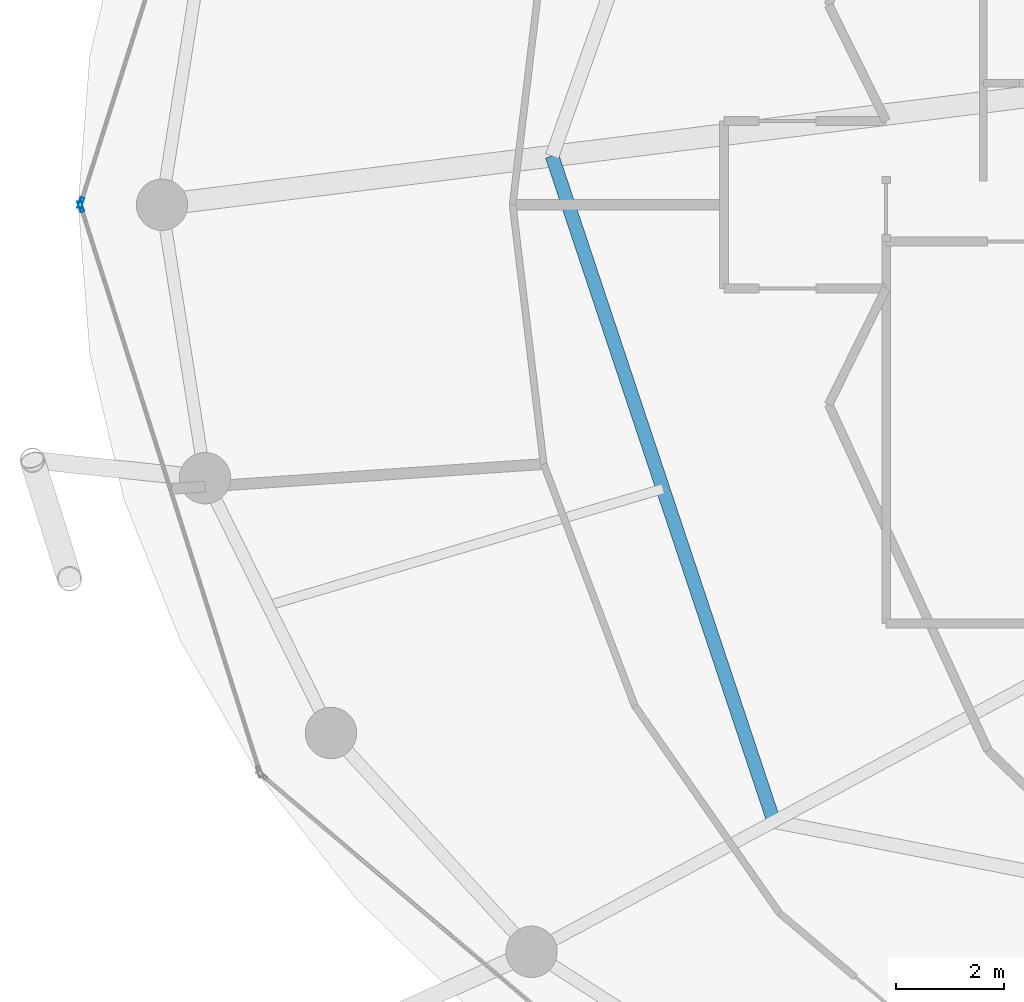
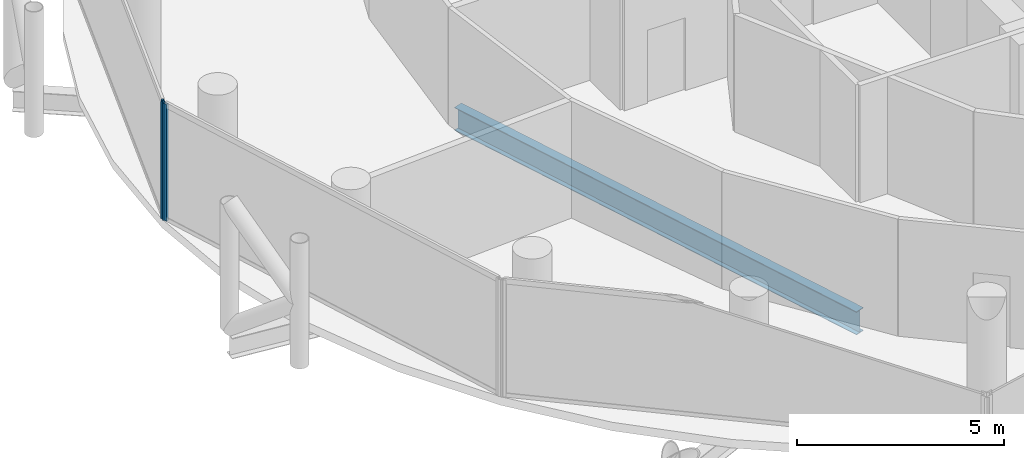
# One storey, part 6 of 26: 2 members, 1 beam, 2 elements without a shape of their own.
"""IFC4 building model written with IfcOpenShell, lengths in metres."""

from ifc_helpers import new_model, si_unit, direction, frame, origin, origin_2d, place, context, subcontext, project, spatial, hollow_rectangle, i_section, extrude, material, layer, layer_set, material_profile, profile_set, type_object, element, aggregate, save


model = new_model("IFC4")

# Units and contexts
model_context = context("Model", 3, precision=1e-05, world=origin(), true_north=direction((0.0, 1.0)))
body_context = subcontext(model_context, "Body", "Model", "MODEL_VIEW")
ifc_project = project(units=[si_unit("LENGTHUNIT", "METRE"), si_unit("AREAUNIT", "SQUARE_METRE"), si_unit("VOLUMEUNIT", "CUBIC_METRE"), si_unit("PLANEANGLEUNIT", "RADIAN"), si_unit("MASSUNIT", "GRAM", prefix="KILO")], contexts=[model_context])

# Site, building, storey
site_placement = place(None, origin())
site = spatial("IfcSite", under=ifc_project, at=site_placement, CompositionType="ELEMENT")
building_placement = place(site_placement, origin())
building = spatial("IfcBuilding", under=site, at=building_placement, Name="Nuhasar Tower", CompositionType="ELEMENT")
storey_placement = place(building_placement, frame((0.0, 0.0, 155.25)))
storey = spatial("IfcBuildingStorey", under=building, at=storey_placement, Name="L37", CompositionType="ELEMENT", Elevation=155.25)

# Beam
ifc_material_1 = material(Name="Steel S355", Category="steel")
ifc_material_profile_1 = material_profile(ifc_material_1, i_section(OverallWidth=0.25390625, OverallDepth=0.68408203125, WebThickness=0.012451171875, FlangeThickness=0.018798828125, at=origin_2d()), Name="W27X94")
ifc_profile_set_1 = profile_set([ifc_material_profile_1], Name="Steel S355")
beam_type = type_object("IfcBeamType", Name="BM-INRING-W27X94", PredefinedType="BEAM", material=ifc_profile_set_1)
beam_placement = place(storey_placement, frame((22.8701171875, 27.699951171875, -0.592041015625), z_axis=(0.31609797573, -0.948726551615, 0.0), x_axis=(0.948726551615, 0.31609797573, 0.0)))
element("IfcBeam", 1, at=beam_placement, inside=storey, type_object=beam_type, Name="L37 Inner Header Beam 08", PredefinedType="BEAM", context=body_context, shape_type="SweptSolid", body=[
    extrude(i_section(OverallWidth=0.25390625, OverallDepth=0.68408203125, WebThickness=0.012451171875, FlangeThickness=0.018798828125, at=origin_2d()), origin(), (0.0, 0.0, 1.0), 12.9794921875),
])

# Curtain wall, member
ifc_material_2 = material(Name="Aluminium 6063-T6", Category="aluminium")
ifc_layer = layer(ifc_material_2, 0.199951171875)
ifc_layer_set = layer_set([ifc_layer], Name="Aluminium 6063-T6")
curtain_wall_type = type_object("IfcCurtainWallType", Name="CW-Z2-HTL", PredefinedType="NOTDEFINED", material=ifc_layer_set)
curtain_wall_1_placement = place(storey_placement, origin())
curtain_wall_1 = element("IfcCurtainWall", 2, at=curtain_wall_1_placement, inside=storey, type_object=curtain_wall_type, Name="L37 Unitised Curtain Wall 06", PredefinedType="NOTDEFINED")
ifc_material_profile_2 = material_profile(ifc_material_2, hollow_rectangle(XDim=0.070068359375, YDim=0.199951171875, WallThickness=0.0048828125, at=origin_2d()), Name="CWM-3")
ifc_profile_set_2 = profile_set([ifc_material_profile_2], Name="Aluminium 6063-T6")
member_type = type_object("IfcMemberType", Name="CW-MUL-S3", PredefinedType="MULLION", material=ifc_profile_set_2)
member_1_placement = place(storey_placement, frame((14.150634765625, 26.833251953125, 0.0), z_axis=(0.0, 0.0, 1.0), x_axis=(0.953433389233, -0.301603667577, 0.0)))
member_1 = element("IfcMember", 3, at=member_1_placement, type_object=member_type, Name="CW-Z2 mullion 2", PredefinedType="MULLION", context=body_context, shape_type="SweptSolid", body=[
    extrude(hollow_rectangle(XDim=0.070068359375, YDim=0.199951171875, WallThickness=0.0048828125, at=origin_2d()), origin(), (0.0, 0.0, 1.0), 3.449951171875),
])
aggregate(curtain_wall_1, [member_1])

curtain_wall_2_placement = place(storey_placement, origin())
curtain_wall_2 = element("IfcCurtainWall", 4, at=curtain_wall_2_placement, inside=storey, type_object=curtain_wall_type, Name="L37 Unitised Curtain Wall 07", PredefinedType="NOTDEFINED")
member_2_placement = place(storey_placement, frame((14.150634765625, 26.7666015625, 0.0), z_axis=(0.0, 0.0, 1.0), x_axis=(0.953433389233, 0.301603667577, 0.0)))
member_2 = element("IfcMember", 5, at=member_2_placement, type_object=member_type, Name="CW-Z2 mullion 1", PredefinedType="MULLION", context=body_context, shape_type="SweptSolid", body=[
    extrude(hollow_rectangle(XDim=0.070068359375, YDim=0.199951171875, WallThickness=0.0048828125, at=origin_2d()), origin(), (0.0, 0.0, 1.0), 3.449951171875),
])
aggregate(curtain_wall_2, [member_2])

save(model, "model.ifc")
